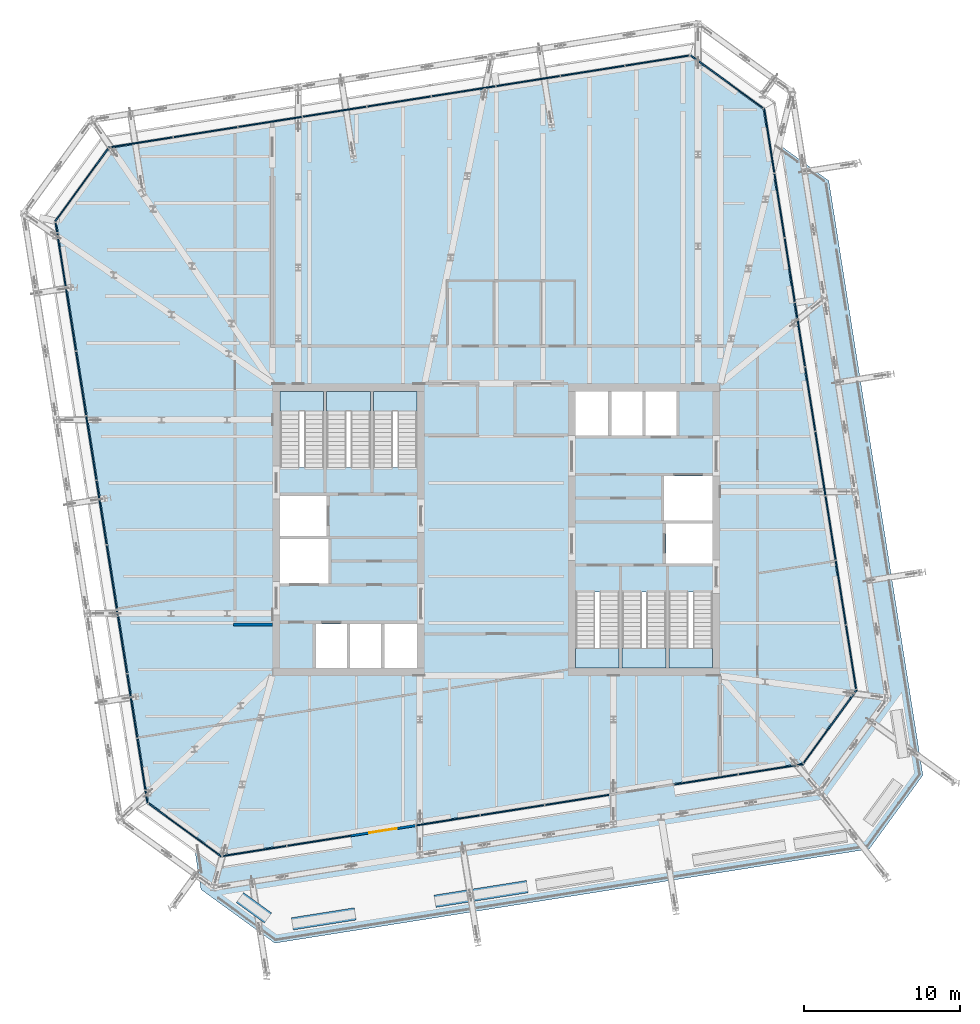
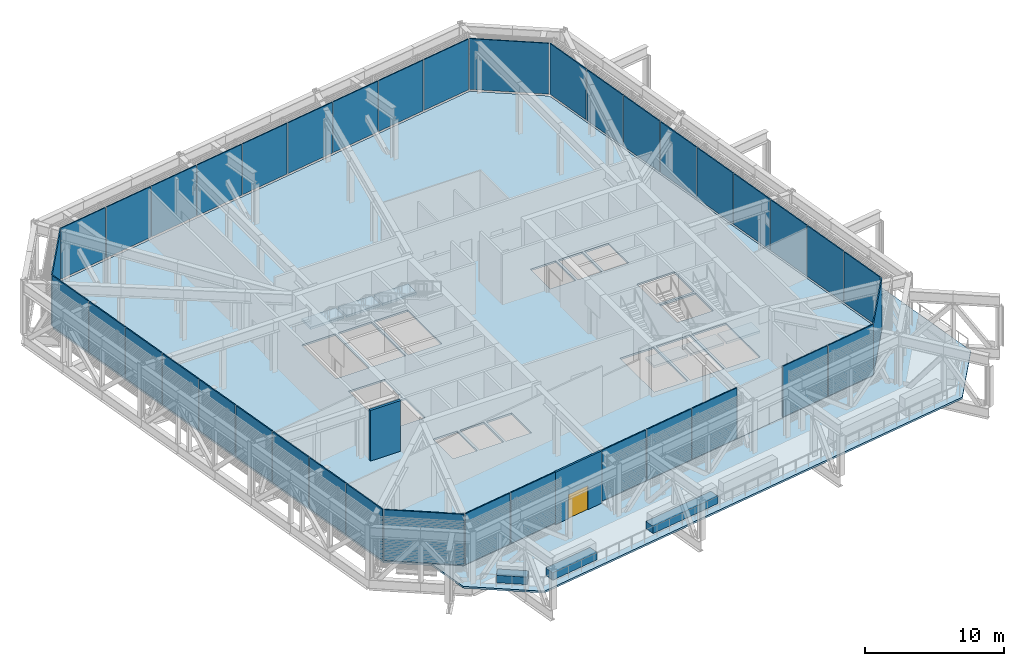
# One storey, part 20 of 35: 38 plates, 8 slabs, 5 walls, 1 door, 1 opening, 14 elements without a shape of their own.
"""IFC4 building model written with IfcOpenShell, lengths in metres."""

from ifc_helpers import new_model, si_unit, direction, frame, frame_2d, origin, place, context, subcontext, project, spatial, polyline, rectangle, outline, extrude, material, layer, layer_set, type_object, element, fill, aggregate, save


model = new_model("IFC4")

# Units and contexts
model_context = context("Model", 3, precision=1e-05, world=origin(), true_north=direction((0.0, 1.0)))
body_context = subcontext(model_context, "Body", "Model", "MODEL_VIEW")
ifc_project = project(units=[si_unit("LENGTHUNIT", "METRE"), si_unit("AREAUNIT", "SQUARE_METRE"), si_unit("VOLUMEUNIT", "CUBIC_METRE"), si_unit("PLANEANGLEUNIT", "RADIAN"), si_unit("MASSUNIT", "GRAM", prefix="KILO")], contexts=[model_context])

# Site, building, storey
site_placement = place(None, origin())
site = spatial("IfcSite", under=ifc_project, at=site_placement, CompositionType="ELEMENT")
building_placement = place(site_placement, origin())
building = spatial("IfcBuilding", under=site, at=building_placement, Name="Millrace Tower", CompositionType="ELEMENT")
storey_placement = place(building_placement, frame((0.0, 0.0, 200.10009765625)))
storey = spatial("IfcBuildingStorey", under=building, at=storey_placement, Name="L45", CompositionType="ELEMENT", Elevation=200.10009765625)

# Curtain wall, plate
ifc_material_1 = material(Name="Aluminium and glass", Category="aluminium")
ifc_layer_1 = layer(ifc_material_1, 0.14990234375)
ifc_layer_set_1 = layer_set([ifc_layer_1], Name="Aluminium and glass")
curtain_wall_type = type_object("IfcCurtainWallType", Name="CW-5 truss and plant storey louvred infill", PredefinedType="NOTDEFINED", material=ifc_layer_set_1)
placement_1 = place(storey_placement, origin())
curtain_wall_1 = element("IfcCurtainWall", 1, at=placement_1, inside=storey, type_object=curtain_wall_type, Name="Curtain wall D-F01 L45", PredefinedType="NOTDEFINED")
ifc_material_2 = material(Name="Glass", Category="glass")
ifc_layer_2 = layer(ifc_material_2, 0.090087890625)
ifc_layer_set_2 = layer_set([ifc_layer_2], Name="Glass")
plate_type = type_object("IfcPlateType", Name="CW-5 truss and plant storey louvred infill louvre cassette", PredefinedType="CURTAIN_PANEL", material=ifc_layer_set_2)
placement_2 = place(storey_placement, frame((0.0, 0.0, 0.139892578125)))
plate_1 = element("IfcPlate", 2, at=placement_2, type_object=plate_type, Name="CW5 panel D-F01.1", PredefinedType="CURTAIN_PANEL", context=body_context, shape_type="SweptSolid", body=[
    extrude(outline(polyline([(-22.378173828125, -17.650634765625), (-17.69970703125, -21.0498046875), (-17.677001953125, -20.955078125), (-22.3251953125, -17.577880859375), (-22.378173828125, -17.650634765625)])), origin(), (0.0, 0.0, 1.0), 4.4599609375),
])
aggregate(curtain_wall_1, [plate_1])

# Curtain wall, plates
curtain_wall_2 = element("IfcCurtainWall", 3, at=placement_1, inside=storey, type_object=curtain_wall_type, Name="Curtain wall D-F02 L45", PredefinedType="NOTDEFINED")
plate_2 = element("IfcPlate", 4, at=placement_2, type_object=plate_type, Name="CW5 panel D-F02.1", PredefinedType="CURTAIN_PANEL", context=body_context, shape_type="SweptSolid", body=[
    extrude(outline(polyline([(-17.58642578125, -21.03173828125), (-13.502197265625, -20.385009765625), (-13.516357421875, -20.296142578125), (-17.600341796875, -20.94287109375), (-17.58642578125, -21.03173828125)])), origin(), (0.0, 0.0, 1.0), 4.4599609375),
])
plate_3 = element("IfcPlate", 5, at=placement_2, type_object=plate_type, Name="CW5 panel D-F02.2", PredefinedType="CURTAIN_PANEL", context=body_context, shape_type="SweptSolid", body=[
    extrude(outline(polyline([(-13.43798828125, -20.374755859375), (-9.35400390625, -19.72802734375), (-9.367919921875, -19.638916015625), (-13.4521484375, -20.285888671875), (-13.43798828125, -20.374755859375)])), origin(), (0.0, 0.0, 1.0), 4.4599609375),
])
plate_4 = element("IfcPlate", 6, at=placement_2, type_object=plate_type, Name="CW5 panel D-F02.4", PredefinedType="CURTAIN_PANEL", context=body_context, shape_type="SweptSolid", body=[
    extrude(outline(polyline([(-5.141357421875, -19.060791015625), (-1.057373046875, -18.413818359375), (-1.071533203125, -18.324951171875), (-5.155517578125, -18.971923828125), (-5.141357421875, -19.060791015625)])), origin(), (0.0, 0.0, 1.0), 4.4599609375),
])
plate_5 = element("IfcPlate", 7, at=placement_2, type_object=plate_type, Name="CW5 panel D-F02.5", PredefinedType="CURTAIN_PANEL", context=body_context, shape_type="SweptSolid", body=[
    extrude(outline(polyline([(-0.9931640625, -18.40380859375), (3.0908203125, -17.7568359375), (3.076904296875, -17.66796875), (-1.00732421875, -18.314697265625), (-0.9931640625, -18.40380859375)])), origin(), (0.0, 0.0, 1.0), 4.4599609375),
])
plate_6 = element("IfcPlate", 8, at=placement_2, type_object=plate_type, Name="CW5 panel D-F02.6", PredefinedType="CURTAIN_PANEL", context=body_context, shape_type="SweptSolid", body=[
    extrude(outline(polyline([(3.155029296875, -17.74658203125), (7.2392578125, -17.099853515625), (7.22509765625, -17.010986328125), (3.14111328125, -17.65771484375), (3.155029296875, -17.74658203125)])), origin(), (0.0, 0.0, 1.0), 4.4599609375),
])
plate_7 = element("IfcPlate", 9, at=placement_2, type_object=plate_type, Name="CW5 panel D-F02.8", PredefinedType="CURTAIN_PANEL", context=body_context, shape_type="SweptSolid", body=[
    extrude(outline(polyline([(11.45166015625, -16.4326171875), (15.535888671875, -15.785888671875), (15.521728515625, -15.69677734375), (11.4375, -16.34375), (11.45166015625, -16.4326171875)])), origin(), (0.0, 0.0, 1.0), 4.4599609375),
])
plate_8 = element("IfcPlate", 10, at=placement_2, type_object=plate_type, Name="CW5 panel D-F02.9", PredefinedType="CURTAIN_PANEL", context=body_context, shape_type="SweptSolid", body=[
    extrude(outline(polyline([(15.60009765625, -15.775634765625), (19.733154296875, -15.120849609375), (19.682373046875, -15.037841796875), (15.5859375, -15.686767578125), (15.60009765625, -15.775634765625)])), origin(), (0.0, 0.0, 1.0), 4.4599609375),
])
aggregate(curtain_wall_2, [plate_2, plate_3, plate_4, plate_5, plate_6, plate_7, plate_8])

# Curtain wall, plate
curtain_wall_3 = element("IfcCurtainWall", 11, at=placement_1, inside=storey, type_object=curtain_wall_type, Name="Curtain wall D-F03 L45", PredefinedType="NOTDEFINED")
plate_9 = element("IfcPlate", 12, at=placement_2, type_object=plate_type, Name="CW5 panel D-F03.1", PredefinedType="CURTAIN_PANEL", context=body_context, shape_type="SweptSolid", body=[
    extrude(outline(polyline([(19.800537109375, -15.028076171875), (23.19970703125, -10.349609375), (23.10498046875, -10.326904296875), (19.727783203125, -14.975341796875), (19.800537109375, -15.028076171875)])), origin(), (0.0, 0.0, 1.0), 4.4599609375),
])
aggregate(curtain_wall_3, [plate_9])

# Curtain wall, plates
curtain_wall_4 = element("IfcCurtainWall", 13, at=placement_1, inside=storey, type_object=curtain_wall_type, Name="Curtain wall D-F04 L45", PredefinedType="NOTDEFINED")
plate_10 = element("IfcPlate", 14, at=placement_2, type_object=plate_type, Name="CW5 panel D-F04.1", PredefinedType="CURTAIN_PANEL", context=body_context, shape_type="SweptSolid", body=[
    extrude(outline(polyline([(23.181884765625, -10.236328125), (22.534912109375, -6.15234375), (22.446044921875, -6.166259765625), (23.093017578125, -10.25048828125), (23.181884765625, -10.236328125)])), origin(), (0.0, 0.0, 1.0), 4.4599609375),
])
plate_11 = element("IfcPlate", 15, at=placement_2, type_object=plate_type, Name="CW5 panel D-F04.2", PredefinedType="CURTAIN_PANEL", context=body_context, shape_type="SweptSolid", body=[
    extrude(outline(polyline([(22.524658203125, -6.088134765625), (21.8779296875, -2.00390625), (21.7890625, -2.01806640625), (22.435791015625, -6.10205078125), (22.524658203125, -6.088134765625)])), origin(), (0.0, 0.0, 1.0), 4.4599609375),
])
plate_12 = element("IfcPlate", 16, at=placement_2, type_object=plate_type, Name="CW5 panel D-F04.3", PredefinedType="CURTAIN_PANEL", context=body_context, shape_type="SweptSolid", body=[
    extrude(outline(polyline([(21.86767578125, -1.939697265625), (21.220947265625, 2.144287109375), (21.132080078125, 2.13037109375), (21.77880859375, -1.953857421875), (21.86767578125, -1.939697265625)])), origin(), (0.0, 0.0, 1.0), 4.4599609375),
])
plate_13 = element("IfcPlate", 17, at=placement_2, type_object=plate_type, Name="CW5 panel D-F04.4", PredefinedType="CURTAIN_PANEL", context=body_context, shape_type="SweptSolid", body=[
    extrude(outline(polyline([(21.210693359375, 2.20849609375), (20.56396484375, 6.292724609375), (20.474853515625, 6.278564453125), (21.121826171875, 2.1943359375), (21.210693359375, 2.20849609375)])), origin(), (0.0, 0.0, 1.0), 4.4599609375),
])
plate_14 = element("IfcPlate", 18, at=placement_2, type_object=plate_type, Name="CW5 panel D-F04.5", PredefinedType="CURTAIN_PANEL", context=body_context, shape_type="SweptSolid", body=[
    extrude(outline(polyline([(20.5537109375, 6.35693359375), (19.90673828125, 10.44091796875), (19.81787109375, 10.4267578125), (20.46484375, 6.3427734375), (20.5537109375, 6.35693359375)])), origin(), (0.0, 0.0, 1.0), 4.4599609375),
])
plate_15 = element("IfcPlate", 19, at=placement_2, type_object=plate_type, Name="CW5 panel D-F04.6", PredefinedType="CURTAIN_PANEL", context=body_context, shape_type="SweptSolid", body=[
    extrude(outline(polyline([(19.896728515625, 10.505126953125), (19.249755859375, 14.589111328125), (19.160888671875, 14.5751953125), (19.807861328125, 10.490966796875), (19.896728515625, 10.505126953125)])), origin(), (0.0, 0.0, 1.0), 4.4599609375),
])
plate_16 = element("IfcPlate", 20, at=placement_2, type_object=plate_type, Name="CW5 panel D-F04.7", PredefinedType="CURTAIN_PANEL", context=body_context, shape_type="SweptSolid", body=[
    extrude(outline(polyline([(19.23974609375, 14.6533203125), (18.5927734375, 18.737548828125), (18.50390625, 18.723388671875), (19.150634765625, 14.639404296875), (19.23974609375, 14.6533203125)])), origin(), (0.0, 0.0, 1.0), 4.4599609375),
])
plate_17 = element("IfcPlate", 21, at=placement_2, type_object=plate_type, Name="CW5 panel D-F04.8", PredefinedType="CURTAIN_PANEL", context=body_context, shape_type="SweptSolid", body=[
    extrude(outline(polyline([(18.58251953125, 18.8017578125), (17.935791015625, 22.8857421875), (17.846923828125, 22.871826171875), (18.49365234375, 18.78759765625), (18.58251953125, 18.8017578125)])), origin(), (0.0, 0.0, 1.0), 4.4599609375),
])
plate_18 = element("IfcPlate", 22, at=placement_2, type_object=plate_type, Name="CW5 panel D-F04.9", PredefinedType="CURTAIN_PANEL", context=body_context, shape_type="SweptSolid", body=[
    extrude(outline(polyline([(17.925537109375, 22.949951171875), (17.27099609375, 27.083251953125), (17.18798828125, 27.0322265625), (17.836669921875, 22.935791015625), (17.925537109375, 22.949951171875)])), origin(), (0.0, 0.0, 1.0), 4.4599609375),
])
aggregate(curtain_wall_4, [plate_10, plate_11, plate_12, plate_13, plate_14, plate_15, plate_16, plate_17, plate_18])

# Curtain wall, plate
curtain_wall_5 = element("IfcCurtainWall", 23, at=placement_1, inside=storey, type_object=curtain_wall_type, Name="Curtain wall D-F05 L45", PredefinedType="NOTDEFINED")
plate_19 = element("IfcPlate", 24, at=placement_2, type_object=plate_type, Name="CW5 panel D-F05.1", PredefinedType="CURTAIN_PANEL", context=body_context, shape_type="SweptSolid", body=[
    extrude(outline(polyline([(17.17822265625, 27.150634765625), (12.499755859375, 30.5498046875), (12.476806640625, 30.455078125), (17.125244140625, 27.077880859375), (17.17822265625, 27.150634765625)])), origin(), (0.0, 0.0, 1.0), 4.4599609375),
])
aggregate(curtain_wall_5, [plate_19])

# Curtain wall, plates
curtain_wall_6 = element("IfcCurtainWall", 25, at=placement_1, inside=storey, type_object=curtain_wall_type, Name="Curtain wall D-F06 L45", PredefinedType="NOTDEFINED")
plate_20 = element("IfcPlate", 26, at=placement_2, type_object=plate_type, Name="CW5 panel D-F06.1", PredefinedType="CURTAIN_PANEL", context=body_context, shape_type="SweptSolid", body=[
    extrude(outline(polyline([(12.38623046875, 30.53173828125), (8.30224609375, 29.885009765625), (8.31640625, 29.796142578125), (12.400390625, 30.44287109375), (12.38623046875, 30.53173828125)])), origin(), (0.0, 0.0, 1.0), 4.4599609375),
])
plate_21 = element("IfcPlate", 27, at=placement_2, type_object=plate_type, Name="CW5 panel D-F06.2", PredefinedType="CURTAIN_PANEL", context=body_context, shape_type="SweptSolid", body=[
    extrude(outline(polyline([(8.238037109375, 29.874755859375), (4.154052734375, 29.22802734375), (4.16796875, 29.138916015625), (8.252197265625, 29.785888671875), (8.238037109375, 29.874755859375)])), origin(), (0.0, 0.0, 1.0), 4.4599609375),
])
plate_22 = element("IfcPlate", 28, at=placement_2, type_object=plate_type, Name="CW5 panel D-F06.3", PredefinedType="CURTAIN_PANEL", context=body_context, shape_type="SweptSolid", body=[
    extrude(outline(polyline([(4.08984375, 29.2177734375), (0.005615234375, 28.57080078125), (0.019775390625, 28.48193359375), (4.103759765625, 29.12890625), (4.08984375, 29.2177734375)])), origin(), (0.0, 0.0, 1.0), 4.4599609375),
])
plate_23 = element("IfcPlate", 29, at=placement_2, type_object=plate_type, Name="CW5 panel D-F06.4", PredefinedType="CURTAIN_PANEL", context=body_context, shape_type="SweptSolid", body=[
    extrude(outline(polyline([(-0.05859375, 28.560791015625), (-4.142578125, 27.913818359375), (-4.128662109375, 27.824951171875), (-0.04443359375, 28.471923828125), (-0.05859375, 28.560791015625)])), origin(), (0.0, 0.0, 1.0), 4.4599609375),
])
plate_24 = element("IfcPlate", 30, at=placement_2, type_object=plate_type, Name="CW5 panel D-F06.5", PredefinedType="CURTAIN_PANEL", context=body_context, shape_type="SweptSolid", body=[
    extrude(outline(polyline([(-4.206787109375, 27.90380859375), (-8.291015625, 27.2568359375), (-8.27685546875, 27.16796875), (-4.192626953125, 27.814697265625), (-4.206787109375, 27.90380859375)])), origin(), (0.0, 0.0, 1.0), 4.4599609375),
])
plate_25 = element("IfcPlate", 31, at=placement_2, type_object=plate_type, Name="CW5 panel D-F06.6", PredefinedType="CURTAIN_PANEL", context=body_context, shape_type="SweptSolid", body=[
    extrude(outline(polyline([(-8.355224609375, 27.24658203125), (-12.439208984375, 26.599853515625), (-12.425048828125, 26.510986328125), (-8.341064453125, 27.15771484375), (-8.355224609375, 27.24658203125)])), origin(), (0.0, 0.0, 1.0), 4.4599609375),
])
plate_26 = element("IfcPlate", 32, at=placement_2, type_object=plate_type, Name="CW5 panel D-F06.7", PredefinedType="CURTAIN_PANEL", context=body_context, shape_type="SweptSolid", body=[
    extrude(outline(polyline([(-12.50341796875, 26.589599609375), (-16.58740234375, 25.94287109375), (-16.573486328125, 25.85400390625), (-12.4892578125, 26.500732421875), (-12.50341796875, 26.589599609375)])), origin(), (0.0, 0.0, 1.0), 4.4599609375),
])
plate_27 = element("IfcPlate", 33, at=placement_2, type_object=plate_type, Name="CW5 panel D-F06.8", PredefinedType="CURTAIN_PANEL", context=body_context, shape_type="SweptSolid", body=[
    extrude(outline(polyline([(-16.651611328125, 25.9326171875), (-20.73583984375, 25.285888671875), (-20.7216796875, 25.19677734375), (-16.6376953125, 25.84375), (-16.651611328125, 25.9326171875)])), origin(), (0.0, 0.0, 1.0), 4.4599609375),
])
plate_28 = element("IfcPlate", 34, at=placement_2, type_object=plate_type, Name="CW5 panel D-F06.9", PredefinedType="CURTAIN_PANEL", context=body_context, shape_type="SweptSolid", body=[
    extrude(outline(polyline([(-20.800048828125, 25.275634765625), (-24.93310546875, 24.620849609375), (-24.88232421875, 24.537841796875), (-20.785888671875, 25.186767578125), (-20.800048828125, 25.275634765625)])), origin(), (0.0, 0.0, 1.0), 4.4599609375),
])
aggregate(curtain_wall_6, [plate_20, plate_21, plate_22, plate_23, plate_24, plate_25, plate_26, plate_27, plate_28])

# Curtain wall, plate
curtain_wall_7 = element("IfcCurtainWall", 35, at=placement_1, inside=storey, type_object=curtain_wall_type, Name="Curtain wall D-F07 L45", PredefinedType="NOTDEFINED")
plate_29 = element("IfcPlate", 36, at=placement_2, type_object=plate_type, Name="CW5 panel D-F07.1", PredefinedType="CURTAIN_PANEL", context=body_context, shape_type="SweptSolid", body=[
    extrude(outline(polyline([(-25.00048828125, 24.528076171875), (-28.399658203125, 19.849609375), (-28.304931640625, 19.826904296875), (-24.927734375, 24.475341796875), (-25.00048828125, 24.528076171875)])), origin(), (0.0, 0.0, 1.0), 4.4599609375),
])
aggregate(curtain_wall_7, [plate_29])

# Curtain wall, plates
curtain_wall_8 = element("IfcCurtainWall", 37, at=placement_1, inside=storey, type_object=curtain_wall_type, Name="Curtain wall D-F08 L45", PredefinedType="NOTDEFINED")
plate_30 = element("IfcPlate", 38, at=placement_2, type_object=plate_type, Name="CW5 panel D-F08.1", PredefinedType="CURTAIN_PANEL", context=body_context, shape_type="SweptSolid", body=[
    extrude(outline(polyline([(-28.3818359375, 19.736328125), (-27.73486328125, 15.65234375), (-27.64599609375, 15.666259765625), (-28.29296875, 19.75048828125), (-28.3818359375, 19.736328125)])), origin(), (0.0, 0.0, 1.0), 4.4599609375),
])
plate_31 = element("IfcPlate", 39, at=placement_2, type_object=plate_type, Name="CW5 panel D-F08.2", PredefinedType="CURTAIN_PANEL", context=body_context, shape_type="SweptSolid", body=[
    extrude(outline(polyline([(-27.724853515625, 15.588134765625), (-27.077880859375, 11.50390625), (-26.989013671875, 11.51806640625), (-27.635986328125, 15.60205078125), (-27.724853515625, 15.588134765625)])), origin(), (0.0, 0.0, 1.0), 4.4599609375),
])
plate_32 = element("IfcPlate", 40, at=placement_2, type_object=plate_type, Name="CW5 panel D-F08.3", PredefinedType="CURTAIN_PANEL", context=body_context, shape_type="SweptSolid", body=[
    extrude(outline(polyline([(-27.067626953125, 11.439697265625), (-26.4208984375, 7.355712890625), (-26.33203125, 7.36962890625), (-26.978759765625, 11.453857421875), (-27.067626953125, 11.439697265625)])), origin(), (0.0, 0.0, 1.0), 4.4599609375),
])
plate_33 = element("IfcPlate", 41, at=placement_2, type_object=plate_type, Name="CW5 panel D-F08.4", PredefinedType="CURTAIN_PANEL", context=body_context, shape_type="SweptSolid", body=[
    extrude(outline(polyline([(-26.41064453125, 7.29150390625), (-25.763916015625, 3.207275390625), (-25.675048828125, 3.221435546875), (-26.32177734375, 7.3056640625), (-26.41064453125, 7.29150390625)])), origin(), (0.0, 0.0, 1.0), 4.4599609375),
])
plate_34 = element("IfcPlate", 42, at=placement_2, type_object=plate_type, Name="CW5 panel D-F08.5", PredefinedType="CURTAIN_PANEL", context=body_context, shape_type="SweptSolid", body=[
    extrude(outline(polyline([(-25.753662109375, 3.14306640625), (-25.10693359375, -0.94091796875), (-25.01806640625, -0.9267578125), (-25.664794921875, 3.1572265625), (-25.753662109375, 3.14306640625)])), origin(), (0.0, 0.0, 1.0), 4.4599609375),
])
plate_35 = element("IfcPlate", 43, at=placement_2, type_object=plate_type, Name="CW5 panel D-F08.6", PredefinedType="CURTAIN_PANEL", context=body_context, shape_type="SweptSolid", body=[
    extrude(outline(polyline([(-25.0966796875, -1.005126953125), (-24.44970703125, -5.089111328125), (-24.36083984375, -5.0751953125), (-25.0078125, -0.990966796875), (-25.0966796875, -1.005126953125)])), origin(), (0.0, 0.0, 1.0), 4.4599609375),
])
plate_36 = element("IfcPlate", 44, at=placement_2, type_object=plate_type, Name="CW5 panel D-F08.7", PredefinedType="CURTAIN_PANEL", context=body_context, shape_type="SweptSolid", body=[
    extrude(outline(polyline([(-24.439697265625, -5.1533203125), (-23.792724609375, -9.237548828125), (-23.703857421875, -9.223388671875), (-24.350830078125, -5.139404296875), (-24.439697265625, -5.1533203125)])), origin(), (0.0, 0.0, 1.0), 4.4599609375),
])
plate_37 = element("IfcPlate", 45, at=placement_2, type_object=plate_type, Name="CW5 panel D-F08.8", PredefinedType="CURTAIN_PANEL", context=body_context, shape_type="SweptSolid", body=[
    extrude(outline(polyline([(-23.78271484375, -9.3017578125), (-23.1357421875, -13.3857421875), (-23.046875, -13.371826171875), (-23.69384765625, -9.28759765625), (-23.78271484375, -9.3017578125)])), origin(), (0.0, 0.0, 1.0), 4.4599609375),
])
plate_38 = element("IfcPlate", 46, at=placement_2, type_object=plate_type, Name="CW5 panel D-F08.9", PredefinedType="CURTAIN_PANEL", context=body_context, shape_type="SweptSolid", body=[
    extrude(outline(polyline([(-23.12548828125, -13.449951171875), (-22.470947265625, -17.583251953125), (-22.387939453125, -17.5322265625), (-23.03662109375, -13.435791015625), (-23.12548828125, -13.449951171875)])), origin(), (0.0, 0.0, 1.0), 4.4599609375),
])
aggregate(curtain_wall_8, [plate_30, plate_31, plate_32, plate_33, plate_34, plate_35, plate_36, plate_37, plate_38])

# Slabs
ifc_material_3 = material(Name="Concrete C35 on steel deck", Category="concrete")
ifc_layer_3 = layer(ifc_material_3, 0.159912109375)
ifc_layer_set_3 = layer_set([ifc_layer_3], Name="Concrete C35 on steel deck")
slab_type_1 = type_object("IfcSlabType", Name="Composite floor slab 160 mm", PredefinedType="FLOOR", material=ifc_layer_set_3)
placement_3 = place(storey_placement, frame((0.0, 0.0, -0.16015625)))
element("IfcSlab", 47, at=placement_3, inside=storey, type_object=slab_type_1, Name="SL-D-L45-S1", PredefinedType="FLOOR", context=body_context, shape_type="SweptSolid", body=[
    extrude(outline(polyline([(-22.360107421875, -17.515380859375), (-17.66943359375, -20.92333984375), (19.665283203125, -15.01025390625), (23.073486328125, -10.3193359375), (17.16015625, 27.015380859375), (12.46923828125, 30.42333984375), (-24.865234375, 24.51025390625), (-28.2734375, 19.8193359375), (-22.360107421875, -17.515380859375)]), holes=[polyline([(-11.60009765625, -8.89990234375), (-9.60009765625, -8.89990234375), (-9.60009765625, -6.050048828125), (-11.60009765625, -6.050048828125), (-11.60009765625, -8.89990234375)]), polyline([(-9.39990234375, -8.89990234375), (-7.39990234375, -8.89990234375), (-7.39990234375, -6.050048828125), (-9.39990234375, -6.050048828125), (-9.39990234375, -8.89990234375)]), polyline([(-7.199951171875, -8.89990234375), (-5.10009765625, -8.89990234375), (-5.10009765625, -6.050048828125), (-7.199951171875, -6.050048828125), (-7.199951171875, -8.89990234375)]), polyline([(-13.89990234375, -3.449951171875), (-10.800048828125, -3.449951171875), (-10.800048828125, -0.60009765625), (-13.89990234375, -0.60009765625), (-13.89990234375, -3.449951171875)]), polyline([(-13.89990234375, -0.39990234375), (-10.89990234375, -0.39990234375), (-10.89990234375, 2.179931640625), (-13.89990234375, 2.179931640625), (-13.89990234375, -0.39990234375)]), polyline([(-13.89990234375, 4.0), (-11.10009765625, 4.0), (-11.10009765625, 8.89990234375), (-13.89990234375, 8.89990234375), (-13.89990234375, 4.0)]), polyline([(-10.89990234375, 4.0), (-8.10009765625, 4.0), (-8.10009765625, 8.89990234375), (-10.89990234375, 8.89990234375), (-10.89990234375, 4.0)]), polyline([(-7.89990234375, 4.0), (-5.10009765625, 4.0), (-5.10009765625, 8.89990234375), (-7.89990234375, 8.89990234375), (-7.89990234375, 4.0)]), polyline([(9.60009765625, 6.050048828125), (11.60009765625, 6.050048828125), (11.60009765625, 8.89990234375), (9.60009765625, 8.89990234375), (9.60009765625, 6.050048828125)]), polyline([(7.39990234375, 6.050048828125), (9.39990234375, 6.050048828125), (9.39990234375, 8.89990234375), (7.39990234375, 8.89990234375), (7.39990234375, 6.050048828125)]), polyline([(5.10009765625, 6.050048828125), (7.199951171875, 6.050048828125), (7.199951171875, 8.89990234375), (5.10009765625, 8.89990234375), (5.10009765625, 6.050048828125)]), polyline([(10.800048828125, 0.60009765625), (13.89990234375, 0.60009765625), (13.89990234375, 3.449951171875), (10.800048828125, 3.449951171875), (10.800048828125, 0.60009765625)]), polyline([(10.89990234375, -2.179931640625), (13.89990234375, -2.179931640625), (13.89990234375, 0.39990234375), (10.89990234375, 0.39990234375), (10.89990234375, -2.179931640625)]), polyline([(11.10009765625, -8.89990234375), (13.89990234375, -8.89990234375), (13.89990234375, -4.0), (11.10009765625, -4.0), (11.10009765625, -8.89990234375)]), polyline([(8.10009765625, -8.89990234375), (10.89990234375, -8.89990234375), (10.89990234375, -4.0), (8.10009765625, -4.0), (8.10009765625, -8.89990234375)]), polyline([(5.10009765625, -8.89990234375), (7.89990234375, -8.89990234375), (7.89990234375, -4.0), (5.10009765625, -4.0), (5.10009765625, -8.89990234375)])]), origin(), (0.0, 0.0, 1.0), 0.16015625),
])
ifc_material_4 = material(Name="Concrete C35 on steel deck", Category="concrete")
ifc_layer_4 = layer(ifc_material_4, 0.159912109375)
ifc_layer_set_4 = layer_set([ifc_layer_4], Name="Concrete C35 on steel deck")
slab_type_2 = type_object("IfcSlabType", Name="Composite roof slab 160 mm", PredefinedType="ROOF", material=ifc_layer_set_4)
element("IfcSlab", 48, at=placement_3, inside=storey, type_object=slab_type_2, Name="SL-C-L44-R1", PredefinedType="ROOF", context=body_context, shape_type="SweptSolid", body=[
    extrude(outline(polyline([(21.3837890625, 22.43798828125), (27.437744140625, -15.78564453125), (23.988037109375, -20.53369140625), (-14.235595703125, -26.587646484375), (-18.983642578125, -23.137939453125), (-19.551025390625, -19.556396484375), (-17.66943359375, -20.92333984375), (19.665283203125, -15.01025390625), (23.073486328125, -10.3193359375), (17.43017578125, 25.310302734375), (21.3837890625, 22.43798828125)])), origin(), (0.0, 0.0, 1.0), 0.16015625),
])

# Stair, slab
ifc_material_5 = material(Name="Concrete C35", Category="concrete")
stair_type = type_object("IfcStairType", Name="Exit stair", PredefinedType="HALF_TURN_STAIR", material=ifc_material_5)
stair_1 = element("IfcStair", 49, at=placement_1, inside=storey, type_object=stair_type, Name="Stair 1 W L45", PredefinedType="HALF_TURN_STAIR")
ifc_material_6 = material(Name="Concrete C40", Category="concrete")
ifc_layer_5 = layer(ifc_material_6, 0.199951171875)
ifc_layer_set_5 = layer_set([ifc_layer_5], Name="Concrete C40")
slab_type_3 = type_object("IfcSlabType", Name="Stair landing", PredefinedType="LANDING", material=ifc_layer_set_5)
placement_4 = place(storey_placement, frame((0.0, 0.0, 2.099853515625)))
slab_3 = element("IfcSlab", 50, at=placement_4, type_object=slab_type_3, Name="ST12 landing 1", PredefinedType="LANDING", context=body_context, shape_type="SweptSolid", body=[
    extrude(outline(polyline([(-13.89990234375, 7.639892578125), (-11.10009765625, 7.639892578125), (-11.10009765625, 8.89990234375), (-13.89990234375, 8.89990234375), (-13.89990234375, 7.639892578125)])), origin(), (0.0, 0.0, 1.0), 0.199951171875),
])
aggregate(stair_1, [slab_3])

stair_2 = element("IfcStair", 51, at=placement_1, inside=storey, type_object=stair_type, Name="Stair 2 W L45", PredefinedType="HALF_TURN_STAIR")
slab_4 = element("IfcSlab", 52, at=placement_4, type_object=slab_type_3, Name="ST12 landing 1", PredefinedType="LANDING", context=body_context, shape_type="SweptSolid", body=[
    extrude(outline(polyline([(-10.89990234375, 7.639892578125), (-8.10009765625, 7.639892578125), (-8.10009765625, 8.89990234375), (-10.89990234375, 8.89990234375), (-10.89990234375, 7.639892578125)])), origin(), (0.0, 0.0, 1.0), 0.199951171875),
])
aggregate(stair_2, [slab_4])

stair_3 = element("IfcStair", 53, at=placement_1, inside=storey, type_object=stair_type, Name="Stair 3 W L45", PredefinedType="HALF_TURN_STAIR")
slab_5 = element("IfcSlab", 54, at=placement_4, type_object=slab_type_3, Name="ST12 landing 1", PredefinedType="LANDING", context=body_context, shape_type="SweptSolid", body=[
    extrude(outline(polyline([(-7.89990234375, 7.639892578125), (-5.10009765625, 7.639892578125), (-5.10009765625, 8.89990234375), (-7.89990234375, 8.89990234375), (-7.89990234375, 7.639892578125)])), origin(), (0.0, 0.0, 1.0), 0.199951171875),
])
aggregate(stair_3, [slab_5])

stair_4 = element("IfcStair", 55, at=placement_1, inside=storey, type_object=stair_type, Name="Stair 1 E L45", PredefinedType="HALF_TURN_STAIR")
slab_6 = element("IfcSlab", 56, at=placement_4, type_object=slab_type_3, Name="ST12 landing 1", PredefinedType="LANDING", context=body_context, shape_type="SweptSolid", body=[
    extrude(outline(polyline([(11.10009765625, -8.89990234375), (13.89990234375, -8.89990234375), (13.89990234375, -7.639892578125), (11.10009765625, -7.639892578125), (11.10009765625, -8.89990234375)])), origin(), (0.0, 0.0, 1.0), 0.199951171875),
])
aggregate(stair_4, [slab_6])

stair_5 = element("IfcStair", 57, at=placement_1, inside=storey, type_object=stair_type, Name="Stair 2 E L45", PredefinedType="HALF_TURN_STAIR")
slab_7 = element("IfcSlab", 58, at=placement_4, type_object=slab_type_3, Name="ST12 landing 1", PredefinedType="LANDING", context=body_context, shape_type="SweptSolid", body=[
    extrude(outline(polyline([(8.10009765625, -8.89990234375), (10.89990234375, -8.89990234375), (10.89990234375, -7.639892578125), (8.10009765625, -7.639892578125), (8.10009765625, -8.89990234375)])), origin(), (0.0, 0.0, 1.0), 0.199951171875),
])
aggregate(stair_5, [slab_7])

stair_6 = element("IfcStair", 59, at=placement_1, inside=storey, type_object=stair_type, Name="Stair 3 E L45", PredefinedType="HALF_TURN_STAIR")
slab_8 = element("IfcSlab", 60, at=placement_4, type_object=slab_type_3, Name="ST12 landing 1", PredefinedType="LANDING", context=body_context, shape_type="SweptSolid", body=[
    extrude(outline(polyline([(5.10009765625, -8.89990234375), (7.89990234375, -8.89990234375), (7.89990234375, -7.639892578125), (5.10009765625, -7.639892578125), (5.10009765625, -8.89990234375)])), origin(), (0.0, 0.0, 1.0), 0.199951171875),
])
aggregate(stair_6, [slab_8])

# Wall
ifc_material_7 = material(Name="Masonry partition, fire-rated", Category="masonry")
ifc_layer_6 = layer(ifc_material_7, 0.199951171875)
ifc_layer_set_6 = layer_set([ifc_layer_6], Name="Masonry partition, fire-rated")
wall_type_1 = type_object("IfcWallType", Name="Corridor wall 200", PredefinedType="PARTITIONING", material=ifc_layer_set_6)
wall_1_placement = place(storey_placement, frame((-16.89990234375, -6.10009765625, 0.0), z_axis=(0.0, 0.0, 1.0), x_axis=(1.0, 0.0, 0.0)))
element("IfcWall", 61, at=wall_1_placement, inside=storey, type_object=wall_type_1, Name="Corridor wall L45", PredefinedType="PARTITIONING", context=body_context, shape_type="SweptSolid", body=[
    extrude(rectangle(XDim=2.5, YDim=0.199951171875, at=frame_2d((1.25, 0.0))), origin(), (0.0, 0.0, 1.0), 4.43994140625),
])

# Wall, opening, door
ifc_material_8 = material(Name="Aluminium framed glazing", Category="aluminium")
ifc_layer_7 = layer(ifc_material_8, 0.14990234375)
ifc_layer_set_7 = layer_set([ifc_layer_7], Name="Aluminium framed glazing")
wall_type_2 = type_object("IfcWallType", Name="Entrance infill wall 150 thick", PredefinedType="STANDARD", material=ifc_layer_set_7)
wall_2_placement = place(storey_placement, frame((-9.361083984375, -19.683349609375, 0.0), z_axis=(0.0, 0.0, 1.0), x_axis=(0.98769650707, 0.156382895237, 0.0)))
wall_2 = element("IfcWall", 62, at=wall_2_placement, inside=storey, type_object=wall_type_2, Name="Entrance infill wall D-F02 3", PredefinedType="STANDARD", context=body_context, shape_type="SweptSolid", body=[
    extrude(rectangle(XDim=4.26513671875, YDim=0.14990234375, at=frame_2d((2.132568359375, 0.0))), origin(), (0.0, 0.0, 1.0), 4.599853515625),
])
opening_placement = place(wall_2_placement, frame((1.199951171875, 0.0, 0.0)))
opening = element("IfcOpeningElement", 63, at=opening_placement, cuts=wall_2, Name="Opening 45-X001", PredefinedType="OPENING", context=body_context, shape_type="SweptSolid", body=[
    extrude(rectangle(XDim=1.800048828125, YDim=2.10009765625, at=frame_2d((0.89990234375, 1.050048828125))), frame((0.0, 0.0849609375, 0.0), z_axis=(0.0, -1.0, 0.0), x_axis=(1.0, 0.0, 0.0)), (0.0, 0.0, 1.0), 0.169921875),
])
ifc_material_9 = material(Name="Aluminium and glass", Category="aluminium")
door_type = type_object("IfcDoorType", Name="Terrace double door", OperationType="DOUBLE_DOOR_DOUBLE_SWING", PredefinedType="DOOR", material=ifc_material_9)
door_placement = place(opening_placement, frame((1.800048828125, 0.0, 0.0), z_axis=(0.0, 0.0, 1.0), x_axis=(-1.0, 0.0, 0.0)))
door = element("IfcDoor", 64, at=door_placement, inside=storey, type_object=door_type, Name="45-X001", OperationType="DOUBLE_DOOR_DOUBLE_SWING", OverallHeight=2.10009765625, OverallWidth=1.800048828125, PredefinedType="DOOR", context=body_context, shape_type="SweptSolid", body=[
    extrude(rectangle(XDim=1.800048828125, YDim=2.10009765625, at=frame_2d((0.89990234375, 1.050048828125))), frame((0.0, 0.02490234375, 0.0), z_axis=(0.0, -1.0, 0.0), x_axis=(1.0, 0.0, 0.0)), (0.0, 0.0, 1.0), 0.050048828125),
])
fill(opening, door)

# Walls
ifc_material_10 = material(Name="Concrete C40", Category="concrete")
ifc_layer_8 = layer(ifc_material_10, 0.800048828125)
ifc_layer_set_8 = layer_set([ifc_layer_8], Name="Concrete C40")
wall_type_3 = type_object("IfcWallType", Name="PLANTER raised bed 650 high x 800 thick", PredefinedType="STANDARD", material=ifc_layer_set_8)
wall_3_placement = place(storey_placement, frame((-16.47900390625, -23.659912109375, 0.039794921875), z_axis=(0.0, 0.0, 1.0), x_axis=(0.809029657216, -0.587767822992, 0.0)))
element("IfcWall", 65, at=wall_3_placement, inside=storey, type_object=wall_type_3, Name="PLANTER raised bed T-L44-1 1.0.0", PredefinedType="STANDARD", context=body_context, shape_type="SweptSolid", body=[
    extrude(rectangle(XDim=2.228759765625, YDim=0.800048828125, at=frame_2d((1.1142578125, 0.0))), origin(), (0.0, 0.0, 1.0), 0.650146484375),
])
wall_4_placement = place(storey_placement, frame((-13.10888671875, -25.34619140625, 0.039794921875), z_axis=(0.0, 0.0, 1.0), x_axis=(0.987690218365, 0.15642260881, 0.0)))
element("IfcWall", 66, at=wall_4_placement, inside=storey, type_object=wall_type_3, Name="PLANTER raised bed T-L44-1 1.1.0", PredefinedType="STANDARD", context=body_context, shape_type="SweptSolid", body=[
    extrude(rectangle(XDim=4.087646484375, YDim=0.800048828125, at=frame_2d((2.0439453125, 0.0))), origin(), (0.0, 0.0, 1.0), 0.650146484375),
])
wall_5_placement = place(storey_placement, frame((-3.935546875, -23.893310546875, 0.039794921875), z_axis=(0.0, 0.0, 1.0), x_axis=(0.987684980061, 0.156455681141, 0.0)))
element("IfcWall", 67, at=wall_5_placement, inside=storey, type_object=wall_type_3, Name="PLANTER raised bed T-L44-1 1.1.1", PredefinedType="STANDARD", context=body_context, shape_type="SweptSolid", body=[
    extrude(rectangle(XDim=6.0, YDim=0.800048828125, at=frame_2d((3.0, 0.0))), origin(), (0.0, 0.0, 1.0), 0.650146484375),
])

save(model, "model.ifc")
